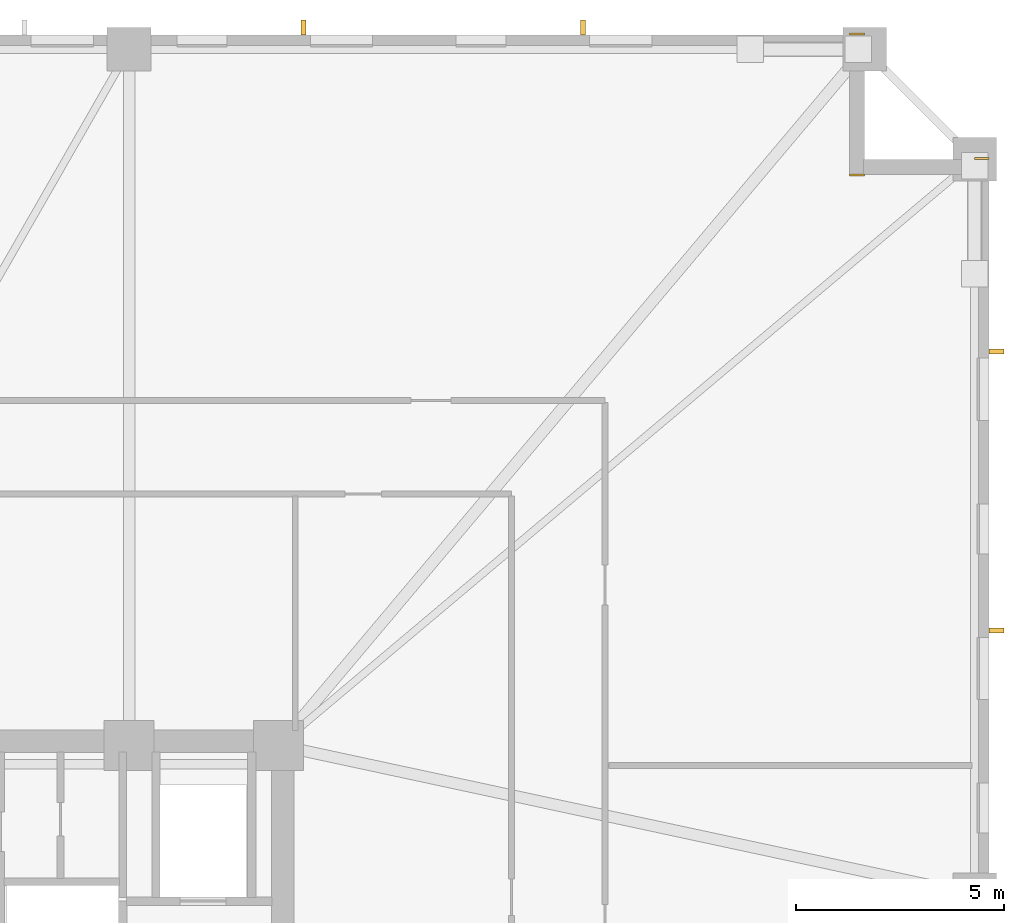
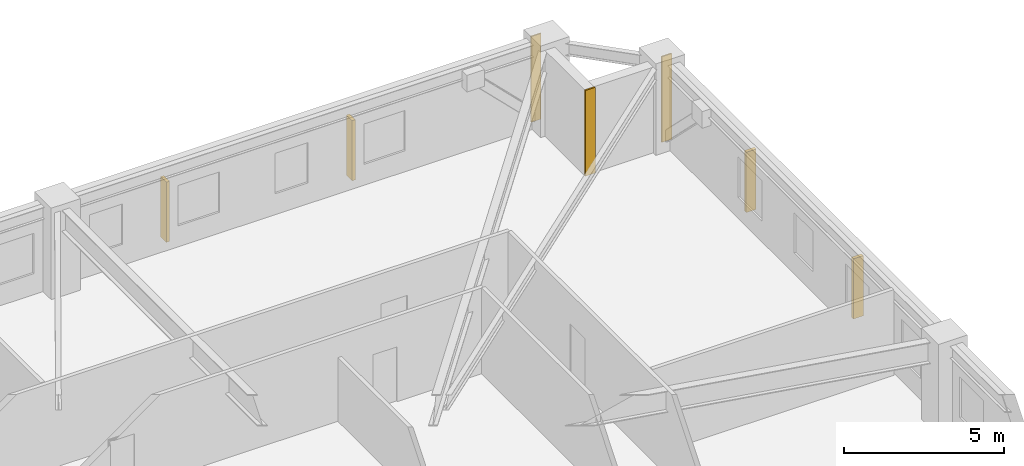
# One storey, part 11 of 11: 4 shading devices, 3 coverings.
"""IFC4 building model written with IfcOpenShell, lengths in metres."""

from ifc_helpers import new_model, si_unit, direction, frame, frame_2d, origin, origin_2d, place, context, subcontext, project, spatial, rectangle, extrude, material, layer, layer_set, type_object, element, save


model = new_model("IFC4")

# Units and contexts
model_context = context("Model", 3, precision=1e-05, world=origin(), true_north=direction((0.0, 1.0)))
body_context = subcontext(model_context, "Body", "Model", "MODEL_VIEW")
ifc_project = project(units=[si_unit("LENGTHUNIT", "METRE"), si_unit("AREAUNIT", "SQUARE_METRE"), si_unit("VOLUMEUNIT", "CUBIC_METRE"), si_unit("PLANEANGLEUNIT", "RADIAN"), si_unit("MASSUNIT", "GRAM", prefix="KILO")], contexts=[model_context])

# Site, building, storey
site_placement = place(None, origin())
site = spatial("IfcSite", under=ifc_project, at=site_placement, CompositionType="ELEMENT")
building_placement = place(site_placement, origin())
building = spatial("IfcBuilding", under=site, at=building_placement, Name="Cairnveth Concourse Tower", CompositionType="ELEMENT")
storey_placement = place(building_placement, frame((0.0, 0.0, 37.5)))
storey = spatial("IfcBuildingStorey", under=building, at=storey_placement, Name="L09", CompositionType="ELEMENT", Elevation=37.5)

# Coverings
ifc_material_1 = material(Name="Dressed Melbourne Bluestone Cladding", Category="masonry")
ifc_layer = layer(ifc_material_1, 0.050048828125)
ifc_layer_set = layer_set([ifc_layer], Name="Dressed Melbourne Bluestone Cladding")
covering_type = type_object("IfcCoveringType", Name="DRESSED BLUESTONE PLINTH CLADDING 50", PredefinedType="CLADDING", material=ifc_layer_set)
for number, where, z_axis, x_axis, name in (
    (1, (74.139892578125, 64.52001953125, 0.0), (0.0, 0.0, 1.0), (1.0, 0.0, 0.0), "Melbourne Bluestone Corner Quoin L09-94"),
    (2, (74.139892578125, 61.1201171875, 0.0), (0.0, 0.0, 1.0), (1.0, 0.0, 0.0), "Melbourne Bluestone Corner Quoin L09-95"),
    (3, (77.139892578125, 61.52001953125, 0.0), (0.0, 0.0, 1.0), (1.0, 0.0, 0.0), "Melbourne Bluestone Corner Quoin L09-96"),
):
    element("IfcCovering", number, at=place(storey_placement, frame(where, z_axis=z_axis, x_axis=x_axis)), inside=storey, type_object=covering_type, Name=name, PredefinedType="CLADDING", context=body_context, shape_type="SweptSolid", body=[
        extrude(rectangle(XDim=0.360107421875, YDim=0.050048828125, at=frame_2d((0.18017578125, 0.0))), origin(), (0.0, 0.0, 1.0), 3.280029296875),
    ])

# Shading devices
ifc_material_2 = material(Name="Architectural Bronze Anodised Aluminium 6063-T6", Category="aluminium")
shading_device_type = type_object("IfcShadingDeviceType", Name="GOTHIC BRONZE VERTICAL LANCET FIN", PredefinedType="USERDEFINED", material=ifc_material_2)
for number, where, z_axis, x_axis, name in (
    (4, (61.00146484375, 64.675048828125, 0.02978515625), (0.0, 0.0, 1.0), (1.0, 0.0, 0.0), "Gothic Bronze Vertical Fin L09-6-9"),
    (5, (67.721923828125, 64.675048828125, 0.02978515625), (0.0, 0.0, 1.0), (1.0, 0.0, 0.0), "Gothic Bronze Vertical Fin L09-6-11"),
    (6, (77.675048828125, 56.8798828125, 0.02978515625), (0.0, 0.0, 1.0), (0.0, 1.0, 0.0), "Gothic Bronze Vertical Fin L09-9-1"),
    (7, (77.675048828125, 50.159423828125, 0.02978515625), (0.0, 0.0, 1.0), (0.0, 1.0, 0.0), "Gothic Bronze Vertical Fin L09-9-3"),
):
    element("IfcShadingDevice", number, at=place(storey_placement, frame(where, z_axis=z_axis, x_axis=x_axis)), inside=storey, type_object=shading_device_type, Name=name, ObjectType="VERTICAL FIN", PredefinedType="USERDEFINED", context=body_context, shape_type="SweptSolid", body=[
        extrude(rectangle(XDim=0.1201171875, YDim=0.360107421875, at=origin_2d()), origin(), (0.0, 0.0, 1.0), 2.303955078125),
    ])

save(model, "model.ifc")
